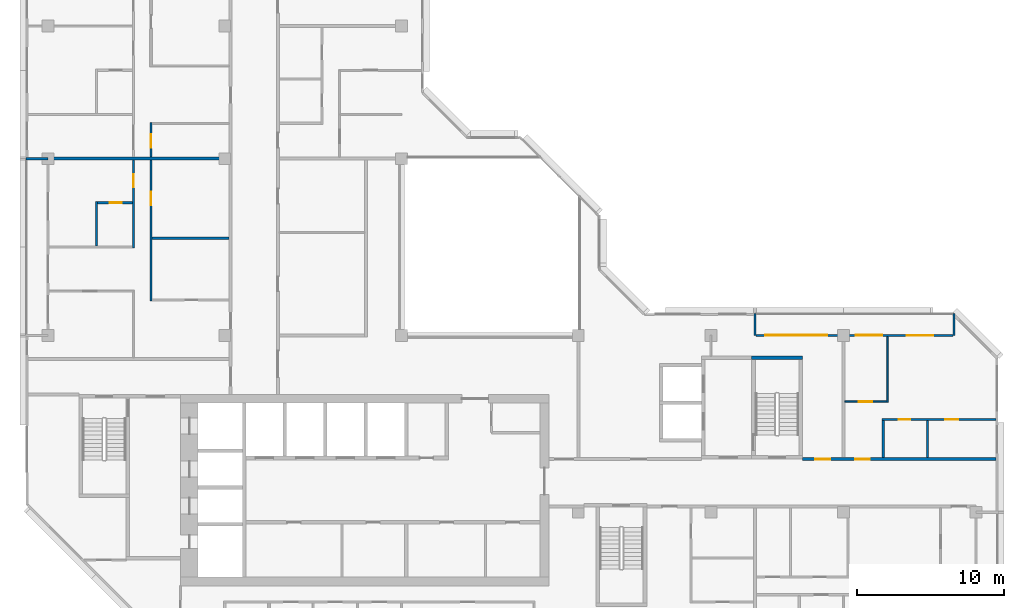
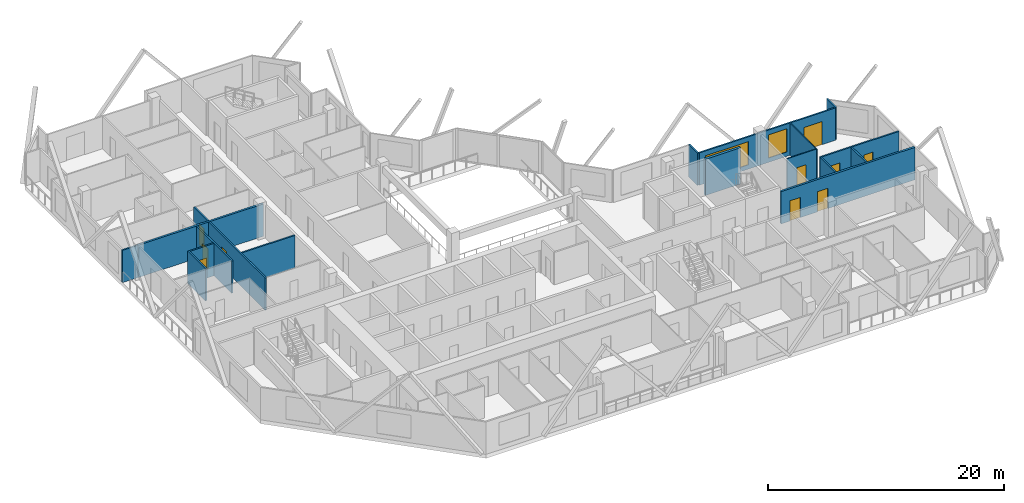
# One storey, part 8 of 13: 18 walls, 10 doors, 2 windows, 12 openings.
"""IFC4 building model written with IfcOpenShell, lengths in metres."""

from ifc_helpers import new_model, si_unit, direction, frame, frame_2d, origin, place, context, subcontext, project, spatial, rectangle, extrude, material, layer, layer_set, type_object, element, fill, save


model = new_model("IFC4")

# Units and contexts
model_context = context("Model", 3, precision=1e-05, world=origin(), true_north=direction((0.0, 1.0)))
body_context = subcontext(model_context, "Body", "Model", "MODEL_VIEW")
ifc_project = project(units=[si_unit("LENGTHUNIT", "METRE"), si_unit("AREAUNIT", "SQUARE_METRE"), si_unit("VOLUMEUNIT", "CUBIC_METRE"), si_unit("PLANEANGLEUNIT", "RADIAN"), si_unit("MASSUNIT", "GRAM", prefix="KILO")], contexts=[model_context])

# Site, building, storey
site_placement = place(None, origin())
site = spatial("IfcSite", under=ifc_project, at=site_placement, CompositionType="ELEMENT")
building_placement = place(site_placement, origin())
building = spatial("IfcBuilding", under=site, at=building_placement, Name="Chenar Terraces", CompositionType="ELEMENT")
storey_placement = place(building_placement, frame((0.0, 0.0, 303.39990234375)))
storey = spatial("IfcBuildingStorey", under=building, at=storey_placement, Name="L71", CompositionType="ELEMENT", Elevation=303.39990234375)

# Wall
ifc_material_1 = material(Name="Concrete C50/60", Category="concrete")
ifc_layer_1 = layer(ifc_material_1, 0.25)
ifc_layer_set_1 = layer_set([ifc_layer_1], Name="Concrete C50/60")
wall_type_1 = type_object("IfcWallType", Name="Core wall 250 Concrete C50/60", PredefinedType="SHEAR", material=ifc_layer_set_1)
wall_1_placement = place(storey_placement, frame((47.77490234375, 22.47509765625, 0.0), z_axis=(0.0, 0.0, 1.0), x_axis=(1.0, 0.0, 0.0)))
element("IfcWall", 1, at=wall_1_placement, inside=storey, type_object=wall_type_1, Name="Core wall ST3_N L71", PredefinedType="SHEAR", context=body_context, shape_type="SweptSolid", body=[
    extrude(rectangle(XDim=3.4501953125, YDim=0.25, at=frame_2d((1.72509765625, 0.0))), origin(), (0.0, 0.0, 1.0), 3.75),
])

# Wall, openings, doors
ifc_material_2 = material(Name="Gypsum board on steel studs with fire boards", Category="steel")
ifc_layer_2 = layer(ifc_material_2, 0.199951171875)
ifc_layer_set_2 = layer_set([ifc_layer_2], Name="Gypsum board on steel studs with fire boards")
wall_type_2 = type_object("IfcWallType", Name="Corridor wall 200", PredefinedType="PARTITIONING", material=ifc_layer_set_2)
wall_2_placement = place(storey_placement, frame((51.22509765625, 15.60009765625, 0.0), z_axis=(0.0, 0.0, 1.0), x_axis=(1.0, 0.0, 0.0)))
wall_2 = element("IfcWall", 2, at=wall_2_placement, inside=storey, type_object=wall_type_2, Name="Partition L71-067", PredefinedType="PARTITIONING", context=body_context, shape_type="SweptSolid", body=[
    extrude(rectangle(XDim=13.125, YDim=0.199951171875, at=frame_2d((6.5625, 0.0))), origin(), (0.0, 0.0, 1.0), 3.35009765625),
])
opening_1_placement = place(wall_2_placement, frame((3.574951171875, 0.0, 0.0)))
opening_1 = element("IfcOpeningElement", 3, at=opening_1_placement, cuts=wall_2, Name="Opening DL71-7", PredefinedType="OPENING", context=body_context, shape_type="SweptSolid", body=[
    extrude(rectangle(XDim=1.0, YDim=2.10009765625, at=frame_2d((0.5, 1.050048828125))), frame((0.0, 0.10986328125, 0.0), z_axis=(0.0, -1.0, 0.0), x_axis=(1.0, 0.0, 0.0)), (0.0, 0.0, 1.0), 0.219970703125),
])
opening_2_placement = place(wall_2_placement, frame((0.875, 0.0, 0.0)))
opening_2 = element("IfcOpeningElement", 4, at=opening_2_placement, cuts=wall_2, Name="Opening DL71-32", PredefinedType="OPENING", context=body_context, shape_type="SweptSolid", body=[
    extrude(rectangle(XDim=1.0, YDim=2.10009765625, at=frame_2d((0.5, 1.050048828125))), frame((0.0, 0.10986328125, 0.0), z_axis=(0.0, -1.0, 0.0), x_axis=(1.0, 0.0, 0.0)), (0.0, 0.0, 1.0), 0.219970703125),
])
ifc_material_3 = material(Name="Steel-framed fire-resisting door leaf", Category="steel")
door_type_1 = type_object("IfcDoorType", Name="Fire door FD30S 1000 x 2100", OperationType="SINGLE_SWING_LEFT", PredefinedType="DOOR", material=ifc_material_3)
door_1_placement = place(opening_1_placement, origin())
door_1 = element("IfcDoor", 5, at=door_1_placement, inside=storey, type_object=door_type_1, Name="Door DL71-7", OperationType="SINGLE_SWING_LEFT", OverallHeight=2.10009765625, OverallWidth=1.0, PredefinedType="DOOR", context=body_context, shape_type="SweptSolid", body=[
    extrude(rectangle(XDim=1.0, YDim=2.10009765625, at=frame_2d((0.5, 1.050048828125))), frame((0.0, 0.02490234375, 0.0), z_axis=(0.0, -1.0, 0.0), x_axis=(1.0, 0.0, 0.0)), (0.0, 0.0, 1.0), 0.050048828125),
])
fill(opening_1, door_1)
door_2_placement = place(opening_2_placement, origin())
door_2 = element("IfcDoor", 6, at=door_2_placement, inside=storey, type_object=door_type_1, Name="Door DL71-32", OperationType="SINGLE_SWING_RIGHT", OverallHeight=2.10009765625, OverallWidth=1.0, PredefinedType="DOOR", context=body_context, shape_type="SweptSolid", body=[
    extrude(rectangle(XDim=1.0, YDim=2.10009765625, at=frame_2d((0.5, 1.050048828125))), frame((0.0, 0.02490234375, 0.0), z_axis=(0.0, -1.0, 0.0), x_axis=(1.0, 0.0, 0.0)), (0.0, 0.0, 1.0), 0.050048828125),
])
fill(opening_2, door_2)

# Wall, openings, windows, door
ifc_material_4 = material(Name="Aluminium framed glazing", Category="aluminium")
ifc_layer_3 = layer(ifc_material_4, 0.14990234375)
ifc_layer_set_3 = layer_set([ifc_layer_3], Name="Aluminium framed glazing")
wall_type_3 = type_object("IfcWallType", Name="Glazed loggia back wall 150", PredefinedType="SOLIDWALL", material=ifc_layer_set_3)
wall_3_placement = place(storey_placement, frame((61.425048828125, 24.0, 0.0), z_axis=(0.0, 0.0, 1.0), x_axis=(-1.0, 0.0, 0.0)))
wall_3 = element("IfcWall", 7, at=wall_3_placement, inside=storey, type_object=wall_type_3, Name="Glazed loggia back wall", PredefinedType="SOLIDWALL", context=body_context, shape_type="SweptSolid", body=[
    extrude(rectangle(XDim=13.35009765625, YDim=0.14990234375, at=frame_2d((6.675048828125, 0.0))), origin(), (0.0, 0.0, 1.0), 3.35009765625),
])
opening_3_placement = place(wall_3_placement, frame((1.3125, 0.0, 0.0)))
opening_3 = element("IfcOpeningElement", 8, at=opening_3_placement, cuts=wall_3, Name="Opening DL71-G1", PredefinedType="OPENING", context=body_context, shape_type="SweptSolid", body=[
    extrude(rectangle(XDim=1.800048828125, YDim=2.39990234375, at=frame_2d((0.89990234375, 1.199951171875))), frame((0.0, 0.0849609375, 0.0), z_axis=(0.0, -1.0, 0.0), x_axis=(1.0, 0.0, 0.0)), (0.0, 0.0, 1.0), 0.169921875),
])
opening_4_placement = place(wall_3_placement, frame((4.77490234375, 0.0, 0.449951171875)))
opening_4 = element("IfcOpeningElement", 9, at=opening_4_placement, cuts=wall_3, Name="Opening W180x240", PredefinedType="OPENING", context=body_context, shape_type="SweptSolid", body=[
    extrude(rectangle(XDim=1.800048828125, YDim=2.39990234375, at=frame_2d((0.89990234375, 1.199951171875))), frame((0.0, 0.0849609375, 0.0), z_axis=(0.0, -1.0, 0.0), x_axis=(1.0, 0.0, 0.0)), (0.0, 0.0, 1.0), 0.169921875),
])
opening_5_placement = place(wall_3_placement, frame((8.53759765625, 0.0, 0.449951171875)))
opening_5 = element("IfcOpeningElement", 10, at=opening_5_placement, cuts=wall_3, Name="Opening W420x240", PredefinedType="OPENING", context=body_context, shape_type="SweptSolid", body=[
    extrude(rectangle(XDim=4.199951171875, YDim=2.39990234375, at=frame_2d((2.10009765625, 1.199951171875))), frame((0.0, 0.0849609375, 0.0), z_axis=(0.0, -1.0, 0.0), x_axis=(1.0, 0.0, 0.0)), (0.0, 0.0, 1.0), 0.169921875),
])
ifc_material_5 = material(Name="Low emissivity double glazing, aluminium frame", Category="aluminium")
window_type_1 = type_object("IfcWindowType", Name="Fixed light 1800 x 2400", PartitioningType="SINGLE_PANEL", PredefinedType="WINDOW", material=ifc_material_5)
window_1_placement = place(opening_4_placement, origin())
window_1 = element("IfcWindow", 11, at=window_1_placement, inside=storey, type_object=window_type_1, Name="Window", OverallHeight=2.39990234375, OverallWidth=1.800048828125, PartitioningType="SINGLE_PANEL", PredefinedType="WINDOW", context=body_context, shape_type="SweptSolid", body=[
    extrude(rectangle(XDim=1.800048828125, YDim=2.39990234375, at=frame_2d((0.89990234375, 1.199951171875))), frame((0.0, 0.030029296875, 0.0), z_axis=(0.0, -1.0, 0.0), x_axis=(1.0, 0.0, 0.0)), (0.0, 0.0, 1.0), 0.06005859375),
])
fill(opening_4, window_1)
ifc_material_6 = material(Name="Low emissivity double glazing, aluminium frame", Category="aluminium")
window_type_2 = type_object("IfcWindowType", Name="Fixed light 4200 x 2400", PartitioningType="SINGLE_PANEL", PredefinedType="WINDOW", material=ifc_material_6)
window_2_placement = place(opening_5_placement, origin())
window_2 = element("IfcWindow", 12, at=window_2_placement, inside=storey, type_object=window_type_2, Name="Window", OverallHeight=2.39990234375, OverallWidth=4.199951171875, PartitioningType="SINGLE_PANEL", PredefinedType="WINDOW", context=body_context, shape_type="SweptSolid", body=[
    extrude(rectangle(XDim=4.199951171875, YDim=2.39990234375, at=frame_2d((2.10009765625, 1.199951171875))), frame((0.0, 0.030029296875, 0.0), z_axis=(0.0, -1.0, 0.0), x_axis=(1.0, 0.0, 0.0)), (0.0, 0.0, 1.0), 0.06005859375),
])
fill(opening_5, window_2)
ifc_material_7 = material(Name="Low emissivity double glazing, aluminium frame", Category="aluminium")
door_type_2 = type_object("IfcDoorType", Name="Loggia glazed double door 1800 x 2400", OperationType="DOUBLE_DOOR_SINGLE_SWING", PredefinedType="DOOR", material=ifc_material_7)
door_3_placement = place(opening_3_placement, frame((1.800048828125, 0.0, 0.0), z_axis=(0.0, 0.0, 1.0), x_axis=(-1.0, 0.0, 0.0)))
door_3 = element("IfcDoor", 13, at=door_3_placement, inside=storey, type_object=door_type_2, Name="Loggia glazed door", OperationType="DOUBLE_DOOR_SINGLE_SWING", OverallHeight=2.39990234375, OverallWidth=1.800048828125, PredefinedType="DOOR", context=body_context, shape_type="SweptSolid", body=[
    extrude(rectangle(XDim=1.800048828125, YDim=2.39990234375, at=frame_2d((0.89990234375, 1.199951171875))), frame((0.0, 0.02490234375, 0.0), z_axis=(0.0, -1.0, 0.0), x_axis=(1.0, 0.0, 0.0)), (0.0, 0.0, 1.0), 0.050048828125),
])
fill(opening_3, door_3)

# Wall, opening, door
ifc_material_8 = material(Name="Gypsum board on steel studs", Category="steel")
ifc_layer_4 = layer(ifc_material_8, 0.10009765625)
ifc_layer_set_4 = layer_set([ifc_layer_4], Name="Gypsum board on steel studs")
wall_type_4 = type_object("IfcWallType", Name="Gypsum partition 100", PredefinedType="PARTITIONING", material=ifc_layer_set_4)
wall_4_placement = place(storey_placement, frame((54.10009765625, 19.5, 0.0), z_axis=(0.0, 0.0, 1.0), x_axis=(1.0, 0.0, 0.0)))
wall_4 = element("IfcWall", 14, at=wall_4_placement, inside=storey, type_object=wall_type_4, Name="Partition L71-070", PredefinedType="PARTITIONING", context=body_context, shape_type="SweptSolid", body=[
    extrude(rectangle(XDim=2.849853515625, YDim=0.10009765625, at=frame_2d((1.4248046875, 0.0))), origin(), (0.0, 0.0, 1.0), 3.35009765625),
])
opening_6_placement = place(wall_4_placement, frame((0.949951171875, 0.0, 0.0)))
opening_6 = element("IfcOpeningElement", 15, at=opening_6_placement, cuts=wall_4, Name="Opening DL71-5", PredefinedType="OPENING", context=body_context, shape_type="SweptSolid", body=[
    extrude(rectangle(XDim=0.89990234375, YDim=2.10009765625, at=frame_2d((0.449951171875, 1.050048828125))), frame((0.0, 0.06005859375, 0.0), z_axis=(0.0, -1.0, 0.0), x_axis=(1.0, 0.0, 0.0)), (0.0, 0.0, 1.0), 0.1201171875),
])
ifc_material_9 = material(Name="Veneered timber door leaf", Category="wood")
door_type_3 = type_object("IfcDoorType", Name="Door 900 x 2100", OperationType="SINGLE_SWING_LEFT", PredefinedType="DOOR", material=ifc_material_9)
door_4_placement = place(opening_6_placement, origin())
door_4 = element("IfcDoor", 16, at=door_4_placement, inside=storey, type_object=door_type_3, Name="Door DL71-5", OperationType="SINGLE_SWING_RIGHT", OverallHeight=2.10009765625, OverallWidth=0.89990234375, PredefinedType="DOOR", context=body_context, shape_type="SweptSolid", body=[
    extrude(rectangle(XDim=0.89990234375, YDim=2.10009765625, at=frame_2d((0.449951171875, 1.050048828125))), frame((0.0, 0.02490234375, 0.0), z_axis=(0.0, -1.0, 0.0), x_axis=(1.0, 0.0, 0.0)), (0.0, 0.0, 1.0), 0.050048828125),
])
fill(opening_6, door_4)

# Walls
wall_5_placement = place(storey_placement, frame((57.0, 19.449951171875, 0.0), z_axis=(0.0, 0.0, 1.0), x_axis=(0.0, 1.0, 0.0)))
element("IfcWall", 17, at=wall_5_placement, inside=storey, type_object=wall_type_4, Name="Partition L71-075", PredefinedType="PARTITIONING", context=body_context, shape_type="SweptSolid", body=[
    extrude(rectangle(XDim=4.47607421875, YDim=0.10009765625, at=frame_2d((2.238037109375, 0.0))), origin(), (0.0, 0.0, 1.0), 3.35009765625),
])
ifc_material_10 = material(Name="Terracotta cladding on insulated backing", Category="masonry")
ifc_layer_5 = layer(ifc_material_10, 0.14990234375)
ifc_layer_set_5 = layer_set([ifc_layer_5], Name="Terracotta cladding on insulated backing")
wall_type_5 = type_object("IfcWallType", Name="Loggia return wall 150", PredefinedType="SOLIDWALL", material=ifc_layer_set_5)
for number, where, z_axis, x_axis, name in (
    (18, (61.5, 25.5, 0.0), (0.0, 0.0, 1.0), (0.0, -1.0, 0.0), "Loggia return wall"),
    (19, (48.0, 25.5, 0.0), (0.0, 0.0, 1.0), (0.0, -1.0, 0.0), "Loggia return wall"),
    (20, (-1.5, 36.0, 0.0), (0.0, 0.0, 1.0), (1.0, 0.0, 0.0), "Loggia return wall"),
):
    element("IfcWall", number, at=place(storey_placement, frame(where, z_axis=z_axis, x_axis=x_axis)), inside=storey, type_object=wall_type_5, Name=name, PredefinedType="SOLIDWALL", context=body_context, shape_type="SweptSolid", body=[
        extrude(rectangle(XDim=1.5, YDim=0.14990234375, at=frame_2d((0.75, 0.0))), origin(), (0.0, 0.0, 1.0), 3.35009765625),
    ])
ifc_material_11 = material(Name="Twin gypsum board on steel studs with mineral wool", Category="steel")
ifc_layer_6 = layer(ifc_material_11, 0.199951171875)
ifc_layer_set_6 = layer_set([ifc_layer_6], Name="Twin gypsum board on steel studs with mineral wool")
wall_type_6 = type_object("IfcWallType", Name="Unit demising wall 200", PredefinedType="PARTITIONING", material=ifc_layer_set_6)
wall_6_placement = place(storey_placement, frame((0.0, 36.0, 0.0), z_axis=(0.0, 0.0, 1.0), x_axis=(1.0, 0.0, 0.0)))
element("IfcWall", 21, at=wall_6_placement, inside=storey, type_object=wall_type_6, Name="Partition L71-005", PredefinedType="PARTITIONING", context=body_context, shape_type="SweptSolid", body=[
    extrude(rectangle(XDim=12.300048828125, YDim=0.199951171875, at=frame_2d((6.14990234375, 0.0))), origin(), (0.0, 0.0, 1.0), 3.35009765625),
])
ifc_material_12 = material(Name="Moisture-resistant gypsum board on steel studs", Category="steel")
ifc_layer_7 = layer(ifc_material_12, 0.14990234375)
ifc_layer_set_7 = layer_set([ifc_layer_7], Name="Moisture-resistant gypsum board on steel studs")
wall_type_7 = type_object("IfcWallType", Name="Wet-room partition 150", PredefinedType="PARTITIONING", material=ifc_layer_set_7)
wall_7_placement = place(storey_placement, frame((3.300048828125, 30.074951171875, 0.0), z_axis=(0.0, 0.0, 1.0), x_axis=(0.0, 1.0, 0.0)))
element("IfcWall", 22, at=wall_7_placement, inside=storey, type_object=wall_type_7, Name="Partition L71-010", PredefinedType="PARTITIONING", context=body_context, shape_type="SweptSolid", body=[
    extrude(rectangle(XDim=3.0, YDim=0.14990234375, at=frame_2d((1.5, 0.0))), origin(), (0.0, 0.0, 1.0), 3.35009765625),
])

# Wall, opening, door
wall_8_placement = place(storey_placement, frame((3.375, 33.0, 0.0), z_axis=(0.0, 0.0, 1.0), x_axis=(1.0, 0.0, 0.0)))
wall_8 = element("IfcWall", 23, at=wall_8_placement, inside=storey, type_object=wall_type_7, Name="Partition L71-012", PredefinedType="PARTITIONING", context=body_context, shape_type="SweptSolid", body=[
    extrude(rectangle(XDim=2.35009765625, YDim=0.14990234375, at=frame_2d((1.175048828125, 0.0))), origin(), (0.0, 0.0, 1.0), 3.35009765625),
])
opening_7_placement = place(wall_8_placement, frame((0.824951171875, 0.0, 0.0)))
opening_7 = element("IfcOpeningElement", 24, at=opening_7_placement, cuts=wall_8, Name="Opening DL71-50", PredefinedType="OPENING", context=body_context, shape_type="SweptSolid", body=[
    extrude(rectangle(XDim=0.800048828125, YDim=2.10009765625, at=frame_2d((0.39990234375, 1.050048828125))), frame((0.0, 0.0849609375, 0.0), z_axis=(0.0, -1.0, 0.0), x_axis=(1.0, 0.0, 0.0)), (0.0, 0.0, 1.0), 0.169921875),
])
ifc_material_13 = material(Name="Veneered timber door leaf", Category="wood")
door_type_4 = type_object("IfcDoorType", Name="Door 800 x 2100", OperationType="SINGLE_SWING_LEFT", PredefinedType="DOOR", material=ifc_material_13)
door_5_placement = place(opening_7_placement, frame((0.800048828125, 0.0, 0.0), z_axis=(0.0, 0.0, 1.0), x_axis=(-1.0, 0.0, 0.0)))
door_5 = element("IfcDoor", 25, at=door_5_placement, inside=storey, type_object=door_type_4, Name="Door DL71-50", OperationType="SINGLE_SWING_LEFT", OverallHeight=2.10009765625, OverallWidth=0.800048828125, PredefinedType="DOOR", context=body_context, shape_type="SweptSolid", body=[
    extrude(rectangle(XDim=0.800048828125, YDim=2.10009765625, at=frame_2d((0.39990234375, 1.050048828125))), frame((0.0, 0.02490234375, 0.0), z_axis=(0.0, -1.0, 0.0), x_axis=(1.0, 0.0, 0.0)), (0.0, 0.0, 1.0), 0.050048828125),
])
fill(opening_7, door_5)

wall_9_placement = place(storey_placement, frame((5.800048828125, 29.925048828125, 0.0), z_axis=(0.0, 0.0, 1.0), x_axis=(0.0, 1.0, 0.0)))
wall_9 = element("IfcWall", 26, at=wall_9_placement, inside=storey, type_object=wall_type_7, Name="Partition L71-015", PredefinedType="PARTITIONING", context=body_context, shape_type="SweptSolid", body=[
    extrude(rectangle(XDim=5.974853515625, YDim=0.14990234375, at=frame_2d((2.9873046875, 0.0))), origin(), (0.0, 0.0, 1.0), 3.35009765625),
])
opening_8_placement = place(wall_9_placement, frame((4.125, 0.0, 0.0)))
opening_8 = element("IfcOpeningElement", 27, at=opening_8_placement, cuts=wall_9, Name="Opening DL71-49", PredefinedType="OPENING", context=body_context, shape_type="SweptSolid", body=[
    extrude(rectangle(XDim=0.89990234375, YDim=2.10009765625, at=frame_2d((0.449951171875, 1.050048828125))), frame((0.0, 0.0849609375, 0.0), z_axis=(0.0, -1.0, 0.0), x_axis=(1.0, 0.0, 0.0)), (0.0, 0.0, 1.0), 0.169921875),
])
door_6_placement = place(opening_8_placement, origin())
door_6 = element("IfcDoor", 28, at=door_6_placement, inside=storey, type_object=door_type_3, Name="Door DL71-49", OperationType="SINGLE_SWING_LEFT", OverallHeight=2.10009765625, OverallWidth=0.89990234375, PredefinedType="DOOR", context=body_context, shape_type="SweptSolid", body=[
    extrude(rectangle(XDim=0.89990234375, YDim=2.10009765625, at=frame_2d((0.449951171875, 1.050048828125))), frame((0.0, 0.02490234375, 0.0), z_axis=(0.0, -1.0, 0.0), x_axis=(1.0, 0.0, 0.0)), (0.0, 0.0, 1.0), 0.050048828125),
])
fill(opening_8, door_6)

wall_10_placement = place(storey_placement, frame((7.0, 26.324951171875, 0.0), z_axis=(0.0, 0.0, 1.0), x_axis=(0.0, 1.0, 0.0)))
wall_10 = element("IfcWall", 29, at=wall_10_placement, inside=storey, type_object=wall_type_7, Name="Partition L71-017", PredefinedType="PARTITIONING", context=body_context, shape_type="SweptSolid", body=[
    extrude(rectangle(XDim=9.574951171875, YDim=0.14990234375, at=frame_2d((4.78759765625, 0.0))), origin(), (0.0, 0.0, 1.0), 3.35009765625),
])
opening_9_placement = place(wall_10_placement, frame((6.52490234375, 0.0, 0.0)))
opening_9 = element("IfcOpeningElement", 30, at=opening_9_placement, cuts=wall_10, Name="Opening DL71-51", PredefinedType="OPENING", context=body_context, shape_type="SweptSolid", body=[
    extrude(rectangle(XDim=0.89990234375, YDim=2.10009765625, at=frame_2d((0.449951171875, 1.050048828125))), frame((0.0, 0.0849609375, 0.0), z_axis=(0.0, -1.0, 0.0), x_axis=(1.0, 0.0, 0.0)), (0.0, 0.0, 1.0), 0.169921875),
])
door_7_placement = place(opening_9_placement, frame((0.89990234375, 0.0, 0.0), z_axis=(0.0, 0.0, 1.0), x_axis=(-1.0, 0.0, 0.0)))
door_7 = element("IfcDoor", 31, at=door_7_placement, inside=storey, type_object=door_type_3, Name="Door DL71-51", OperationType="SINGLE_SWING_RIGHT", OverallHeight=2.10009765625, OverallWidth=0.89990234375, PredefinedType="DOOR", context=body_context, shape_type="SweptSolid", body=[
    extrude(rectangle(XDim=0.89990234375, YDim=2.10009765625, at=frame_2d((0.449951171875, 1.050048828125))), frame((0.0, 0.02490234375, 0.0), z_axis=(0.0, -1.0, 0.0), x_axis=(1.0, 0.0, 0.0)), (0.0, 0.0, 1.0), 0.050048828125),
])
fill(opening_9, door_7)

wall_11_placement = place(storey_placement, frame((7.0, 36.10009765625, 0.0), z_axis=(0.0, 0.0, 1.0), x_axis=(0.0, 1.0, 0.0)))
wall_11 = element("IfcWall", 32, at=wall_11_placement, inside=storey, type_object=wall_type_7, Name="Partition L71-018", PredefinedType="PARTITIONING", context=body_context, shape_type="SweptSolid", body=[
    extrude(rectangle(XDim=2.349853515625, YDim=0.14990234375, at=frame_2d((1.1748046875, 0.0))), origin(), (0.0, 0.0, 1.0), 3.35009765625),
])
opening_10_placement = place(wall_11_placement, frame((0.64990234375, 0.0, 0.0)))
opening_10 = element("IfcOpeningElement", 33, at=opening_10_placement, cuts=wall_11, Name="Opening DL71-27", PredefinedType="OPENING", context=body_context, shape_type="SweptSolid", body=[
    extrude(rectangle(XDim=0.89990234375, YDim=2.10009765625, at=frame_2d((0.449951171875, 1.050048828125))), frame((0.0, 0.0849609375, 0.0), z_axis=(0.0, -1.0, 0.0), x_axis=(1.0, 0.0, 0.0)), (0.0, 0.0, 1.0), 0.169921875),
])
door_8_placement = place(opening_10_placement, frame((0.89990234375, 0.0, 0.0), z_axis=(0.0, 0.0, 1.0), x_axis=(-1.0, 0.0, 0.0)))
door_8 = element("IfcDoor", 34, at=door_8_placement, inside=storey, type_object=door_type_3, Name="Door DL71-27", OperationType="SINGLE_SWING_RIGHT", OverallHeight=2.10009765625, OverallWidth=0.89990234375, PredefinedType="DOOR", context=body_context, shape_type="SweptSolid", body=[
    extrude(rectangle(XDim=0.89990234375, YDim=2.10009765625, at=frame_2d((0.449951171875, 1.050048828125))), frame((0.0, 0.02490234375, 0.0), z_axis=(0.0, -1.0, 0.0), x_axis=(1.0, 0.0, 0.0)), (0.0, 0.0, 1.0), 0.050048828125),
])
fill(opening_10, door_8)

# Wall
wall_12_placement = place(storey_placement, frame((7.074951171875, 30.60009765625, 0.0), z_axis=(0.0, 0.0, 1.0), x_axis=(1.0, 0.0, 0.0)))
element("IfcWall", 35, at=wall_12_placement, inside=storey, type_object=wall_type_7, Name="Partition L71-021", PredefinedType="PARTITIONING", context=body_context, shape_type="SweptSolid", body=[
    extrude(rectangle(XDim=5.22509765625, YDim=0.14990234375, at=frame_2d((2.612548828125, 0.0))), origin(), (0.0, 0.0, 1.0), 3.35009765625),
])

# Wall, openings, doors
wall_13_placement = place(storey_placement, frame((56.625, 18.300048828125, 0.0), z_axis=(0.0, 0.0, 1.0), x_axis=(1.0, 0.0, 0.0)))
wall_13 = element("IfcWall", 36, at=wall_13_placement, inside=storey, type_object=wall_type_7, Name="Partition L71-072", PredefinedType="PARTITIONING", context=body_context, shape_type="SweptSolid", body=[
    extrude(rectangle(XDim=7.72509765625, YDim=0.14990234375, at=frame_2d((3.862548828125, 0.0))), origin(), (0.0, 0.0, 1.0), 3.35009765625),
])
opening_11_placement = place(wall_13_placement, frame((1.125, 0.0, 0.0)))
opening_11 = element("IfcOpeningElement", 37, at=opening_11_placement, cuts=wall_13, Name="Opening DL71-4", PredefinedType="OPENING", context=body_context, shape_type="SweptSolid", body=[
    extrude(rectangle(XDim=0.800048828125, YDim=2.10009765625, at=frame_2d((0.39990234375, 1.050048828125))), frame((0.0, 0.0849609375, 0.0), z_axis=(0.0, -1.0, 0.0), x_axis=(1.0, 0.0, 0.0)), (0.0, 0.0, 1.0), 0.169921875),
])
opening_12_placement = place(wall_13_placement, frame((4.27490234375, 0.0, 0.0)))
opening_12 = element("IfcOpeningElement", 38, at=opening_12_placement, cuts=wall_13, Name="Opening DL71-6", PredefinedType="OPENING", context=body_context, shape_type="SweptSolid", body=[
    extrude(rectangle(XDim=0.89990234375, YDim=2.10009765625, at=frame_2d((0.449951171875, 1.050048828125))), frame((0.0, 0.0849609375, 0.0), z_axis=(0.0, -1.0, 0.0), x_axis=(1.0, 0.0, 0.0)), (0.0, 0.0, 1.0), 0.169921875),
])
door_9_placement = place(opening_11_placement, frame((0.800048828125, 0.0, 0.0), z_axis=(0.0, 0.0, 1.0), x_axis=(-1.0, 0.0, 0.0)))
door_9 = element("IfcDoor", 39, at=door_9_placement, inside=storey, type_object=door_type_4, Name="Door DL71-4", OperationType="SINGLE_SWING_RIGHT", OverallHeight=2.10009765625, OverallWidth=0.800048828125, PredefinedType="DOOR", context=body_context, shape_type="SweptSolid", body=[
    extrude(rectangle(XDim=0.800048828125, YDim=2.10009765625, at=frame_2d((0.39990234375, 1.050048828125))), frame((0.0, 0.02490234375, 0.0), z_axis=(0.0, -1.0, 0.0), x_axis=(1.0, 0.0, 0.0)), (0.0, 0.0, 1.0), 0.050048828125),
])
fill(opening_11, door_9)
door_10_placement = place(opening_12_placement, frame((0.89990234375, 0.0, 0.0), z_axis=(0.0, 0.0, 1.0), x_axis=(-1.0, 0.0, 0.0)))
door_10 = element("IfcDoor", 40, at=door_10_placement, inside=storey, type_object=door_type_3, Name="Door DL71-6", OperationType="SINGLE_SWING_RIGHT", OverallHeight=2.10009765625, OverallWidth=0.89990234375, PredefinedType="DOOR", context=body_context, shape_type="SweptSolid", body=[
    extrude(rectangle(XDim=0.89990234375, YDim=2.10009765625, at=frame_2d((0.449951171875, 1.050048828125))), frame((0.0, 0.02490234375, 0.0), z_axis=(0.0, -1.0, 0.0), x_axis=(1.0, 0.0, 0.0)), (0.0, 0.0, 1.0), 0.050048828125),
])
fill(opening_12, door_10)

# Walls
for number, where, z_axis, x_axis, name in (
    (41, (56.699951171875, 15.699951171875, 0.0), (0.0, 0.0, 1.0), (0.0, 1.0, 0.0), "Partition L71-073"),
    (42, (59.699951171875, 15.699951171875, 0.0), (0.0, 0.0, 1.0), (0.0, 1.0, 0.0), "Partition L71-076"),
):
    element("IfcWall", number, at=place(storey_placement, frame(where, z_axis=z_axis, x_axis=x_axis)), inside=storey, type_object=wall_type_7, Name=name, PredefinedType="PARTITIONING", context=body_context, shape_type="SweptSolid", body=[
        extrude(rectangle(XDim=2.525146484375, YDim=0.14990234375, at=frame_2d((1.2626953125, 0.0))), origin(), (0.0, 0.0, 1.0), 3.35009765625),
    ])

save(model, "model.ifc")
